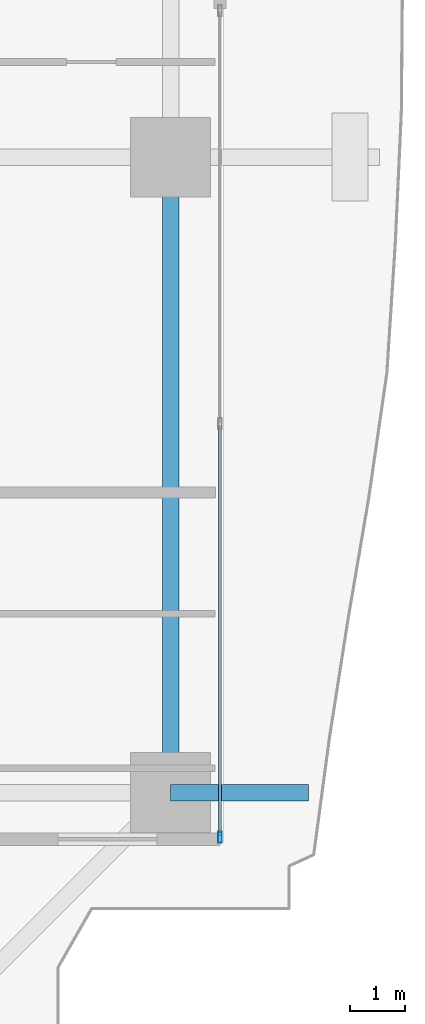
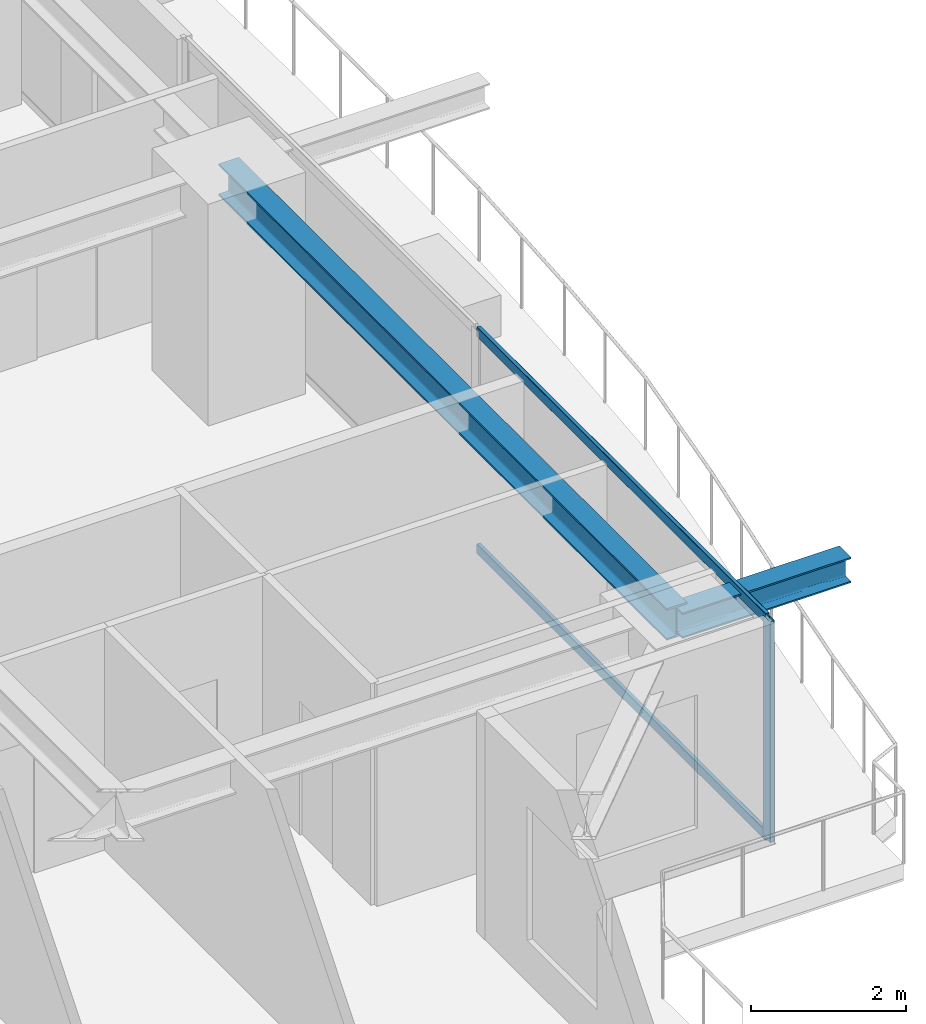
# One storey, part 12 of 38: 3 members, 2 beams, 1 element without a shape of its own.
"""IFC4 building model written with IfcOpenShell, lengths in metres."""

from ifc_helpers import new_model, si_unit, direction, frame, origin, origin_2d, place, context, subcontext, project, spatial, hollow_rectangle, i_section, extrude, source, transform, mapped, material, layer, layer_set, material_profile, profile_set, type_object, element, aggregate, save


model = new_model("IFC4")

# Units and contexts
model_context = context("Model", 3, precision=1e-05, world=origin(), true_north=direction((0.0, 1.0)))
body_context = subcontext(model_context, "Body", "Model", "MODEL_VIEW")
ifc_project = project(units=[si_unit("LENGTHUNIT", "METRE"), si_unit("AREAUNIT", "SQUARE_METRE"), si_unit("VOLUMEUNIT", "CUBIC_METRE"), si_unit("PLANEANGLEUNIT", "RADIAN"), si_unit("MASSUNIT", "GRAM", prefix="KILO")], contexts=[model_context])

# Site, building, storey
site_placement = place(None, origin())
site = spatial("IfcSite", under=ifc_project, at=site_placement, CompositionType="ELEMENT")
building_placement = place(site_placement, origin())
building = spatial("IfcBuilding", under=site, at=building_placement, Name="Serunith Strait Residences", CompositionType="ELEMENT")
storey_placement = place(building_placement, frame((0.0, 0.0, 30.449951171875)))
storey = spatial("IfcBuildingStorey", under=building, at=storey_placement, Name="L06", CompositionType="ELEMENT", Elevation=30.449951171875)

# Beams
ifc_material_1 = material(Name="Steel S355J2", Category="steel")
ifc_material_profile_1 = material_profile(ifc_material_1, i_section(OverallWidth=0.300048828125, OverallDepth=0.5, WebThickness=0.014404296875, FlangeThickness=0.028076171875, FilletRadius=0.027099609375, at=origin_2d()), Name="HEB 500")
ifc_profile_set_1 = profile_set([ifc_material_profile_1], Name="Steel S355J2")
beam_type_1 = type_object("IfcBeamType", Name="BM-HEB500", PredefinedType="BEAM", material=ifc_profile_set_1)
shared_shape_1 = source(origin(), body_context, "Body", "SweptSolid", [
    extrude(i_section(OverallWidth=0.300048828125, OverallDepth=0.5, WebThickness=0.014404296875, FlangeThickness=0.028076171875, FilletRadius=0.027099609375, at=origin_2d()), origin(), (0.0, 0.0, 1.0), 11.550048828125),
])
beam_1_placement = place(storey_placement, frame((57.89990234375, 9.449951171875, 3.237060546875), z_axis=(0.0, 1.0, 0.0), x_axis=(-1.0, 0.0, 0.0)))
element("IfcBeam", 1, at=beam_1_placement, inside=storey, type_object=beam_type_1, Name="L06 Perimeter Ring Beam 05", PredefinedType="BEAM", context=body_context, shape_type="MappedRepresentation", body=[
    mapped(shared_shape_1, transform((0.0, 0.0, 0.0), scale=1.0)),
])
ifc_material_profile_2 = material_profile(ifc_material_1, i_section(OverallWidth=0.300048828125, OverallDepth=0.39990234375, WebThickness=0.013427734375, FlangeThickness=0.02392578125, FilletRadius=0.027099609375, at=origin_2d()), Name="HEB 400")
ifc_profile_set_2 = profile_set([ifc_material_profile_2], Name="Steel S355J2")
beam_type_2 = type_object("IfcBeamType", Name="BM-HEB400", PredefinedType="BEAM", material=ifc_profile_set_2)
shared_shape_2 = source(origin(), body_context, "Body", "SweptSolid", [
    extrude(i_section(OverallWidth=0.300048828125, OverallDepth=0.39990234375, WebThickness=0.013427734375, FlangeThickness=0.02392578125, FilletRadius=0.027099609375, at=origin_2d()), origin(), (0.0, 0.0, 1.0), 2.509033203125),
])
beam_2_placement = place(storey_placement, frame((57.89990234375, 9.449951171875, 3.257080078125), z_axis=(1.0, 0.0, 0.0), x_axis=(0.0, 1.0, 0.0)))
element("IfcBeam", 2, at=beam_2_placement, inside=storey, type_object=beam_type_2, Name="L07 Cantilevered Balcony Rib TC-E1", PredefinedType="BEAM", context=body_context, shape_type="MappedRepresentation", body=[
    mapped(shared_shape_2, transform((0.0, 0.0, 0.0), scale=1.0)),
])

# Curtain wall, members
ifc_material_2 = material(Name="Pale-Champagne Anodised Aluminium", Category="aluminium")
ifc_layer = layer(ifc_material_2, 0.199951171875, Name="Pale-Champagne Anodised Aluminium")
ifc_layer_set = layer_set([ifc_layer], Name="Pale-Champagne Anodised Aluminium")
curtain_wall_type = type_object("IfcCurtainWallType", Name="CW-SYS1", PredefinedType="NOTDEFINED", material=ifc_layer_set)
curtain_wall_placement = place(storey_placement, origin())
curtain_wall = element("IfcCurtainWall", 3, at=curtain_wall_placement, inside=storey, type_object=curtain_wall_type, Name="L06 E Unitised Fritted Curtain Wall", PredefinedType="NOTDEFINED")
ifc_material_profile_3 = material_profile(ifc_material_2, hollow_rectangle(XDim=0.070068359375, YDim=0.199951171875, WallThickness=0.00390625, InnerFilletRadius=0.006103515625, OuterFilletRadius=0.010009765625, at=origin_2d()), Name="ALU 200x70x4")
ifc_profile_set_3 = profile_set([ifc_material_profile_3], Name="Pale-Champagne Anodised Aluminium")
member_type_1 = type_object("IfcMemberType", Name="CW-SYS1-MULL", PredefinedType="MULLION", material=ifc_profile_set_3)
shared_shape_3 = source(origin(), body_context, "Body", "SweptSolid", [
    extrude(hollow_rectangle(XDim=0.070068359375, YDim=0.199951171875, WallThickness=0.00390625, InnerFilletRadius=0.006103515625, OuterFilletRadius=0.010009765625, at=origin_2d()), origin(), (0.0, 0.0, 1.0), 3.47509765625),
])
member_1_placement = place(storey_placement, frame((58.800048828125, 8.635009765625, 0.0), z_axis=(0.0, 0.0, 1.0), x_axis=(-1.0, 0.0, 0.0)))
member_1 = element("IfcMember", 4, at=member_1_placement, type_object=member_type_1, Name="CW-1 mullion 1", PredefinedType="MULLION", context=body_context, shape_type="MappedRepresentation", body=[
    mapped(shared_shape_3, transform((0.0, 0.0, 0.0), scale=1.0)),
])
ifc_material_profile_4 = material_profile(ifc_material_2, hollow_rectangle(XDim=0.06005859375, YDim=0.159912109375, WallThickness=0.00341796875, InnerFilletRadius=0.00537109375, OuterFilletRadius=0.0087890625, at=origin_2d()), Name="ALU 160x60x3.5")
ifc_profile_set_4 = profile_set([ifc_material_profile_4], Name="Pale-Champagne Anodised Aluminium")
member_type_2 = type_object("IfcMemberType", Name="CW-SYS1-TRAN", PredefinedType="USERDEFINED", material=ifc_profile_set_4)
shared_shape_4 = source(origin(), body_context, "Body", "SweptSolid", [
    extrude(hollow_rectangle(XDim=0.06005859375, YDim=0.159912109375, WallThickness=0.00341796875, InnerFilletRadius=0.00537109375, OuterFilletRadius=0.0087890625, at=origin_2d()), origin(), (0.0, 0.0, 1.0), 7.445068359375),
])
member_2_placement = place(storey_placement, frame((58.800048828125, 8.669921875, 0.030029296875), z_axis=(0.0, 1.0, 0.0), x_axis=(-1.0, 0.0, 0.0)))
member_2 = element("IfcMember", 5, at=member_2_placement, type_object=member_type_2, Name="CW-1 transom 1.1", ObjectType="TRANSOM", PredefinedType="USERDEFINED", context=body_context, shape_type="MappedRepresentation", body=[
    mapped(shared_shape_4, transform((0.0, 0.0, 0.0), scale=1.0)),
])
member_3_placement = place(storey_placement, frame((58.800048828125, 8.669921875, 3.445068359375), z_axis=(0.0, 1.0, 0.0), x_axis=(-1.0, 0.0, 0.0)))
member_3 = element("IfcMember", 6, at=member_3_placement, type_object=member_type_2, Name="CW-1 transom 1.2", ObjectType="TRANSOM", PredefinedType="USERDEFINED", context=body_context, shape_type="MappedRepresentation", body=[
    mapped(shared_shape_4, transform((0.0, 0.0, 0.0), scale=1.0)),
])
aggregate(curtain_wall, [member_1, member_2, member_3])

save(model, "model.ifc")
